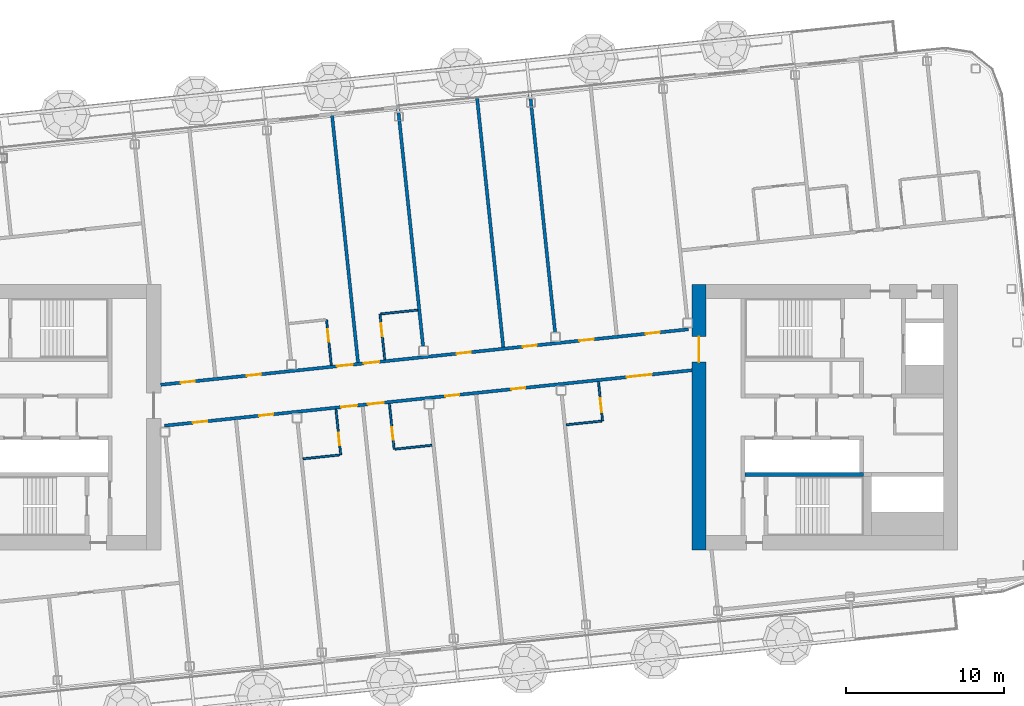
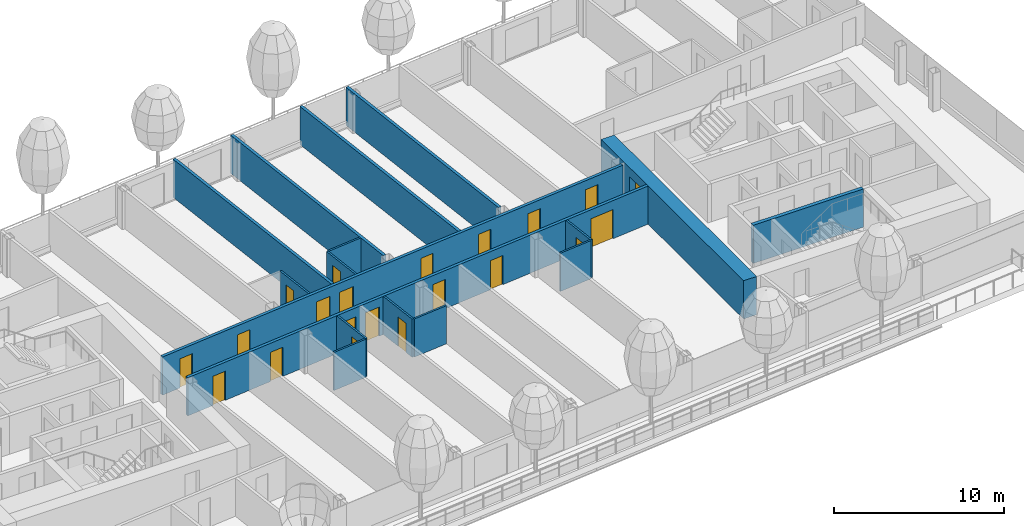
# One storey, part 14 of 29: 21 doors, 17 walls, 21 openings.
"""IFC4 building model written with IfcOpenShell, lengths in metres."""

from ifc_helpers import new_model, si_unit, direction, frame, frame_2d, origin, place, context, subcontext, project, spatial, rectangle, extrude, material, layer, layer_set, type_object, element, fill, save


model = new_model("IFC4")

# Units and contexts
model_context = context("Model", 3, precision=1e-05, world=origin(), true_north=direction((0.0, 1.0)))
body_context = subcontext(model_context, "Body", "Model", "MODEL_VIEW")
ifc_project = project(units=[si_unit("LENGTHUNIT", "METRE"), si_unit("AREAUNIT", "SQUARE_METRE"), si_unit("VOLUMEUNIT", "CUBIC_METRE"), si_unit("PLANEANGLEUNIT", "RADIAN"), si_unit("MASSUNIT", "GRAM", prefix="KILO")], contexts=[model_context])

# Site, building, storey
site_placement = place(None, origin())
site = spatial("IfcSite", under=ifc_project, at=site_placement, CompositionType="ELEMENT")
building_placement = place(site_placement, origin())
building = spatial("IfcBuilding", under=site, at=building_placement, Name="Hakoniwa Tower and Hamabe Station Hall", CompositionType="ELEMENT")
storey_placement = place(building_placement, frame((0.0, 0.0, 258.199951171875)))
storey = spatial("IfcBuildingStorey", under=building, at=storey_placement, Name="L73", CompositionType="ELEMENT", Elevation=258.199951171875)

# Walls
ifc_material_1 = material(Name="Gypsum board partition", Category="gypsum")
ifc_layer_1 = layer(ifc_material_1, 0.125)
ifc_layer_set_1 = layer_set([ifc_layer_1], Name="Bathroom Partition 125")
wall_type_1 = type_object("IfcWallType", Name="Bathroom Partition 125", PredefinedType="PARTITIONING", material=ifc_layer_set_1)
for number, where, z_axis, x_axis, name in (
    (1, (-7.80517578125, -2.64404296875, 0.0), (0.0, 0.0, 1.0), (0.994519751088, 0.104548862722, 0.0), "GW-L73-004"),
    (2, (-1.974609375, -2.03125, 0.0), (0.0, 0.0, 1.0), (0.994519751088, 0.104548862722, 0.0), "GW-L73-005"),
    (3, (-2.87353515625, 6.521728515625, 0.0), (0.0, 0.0, 1.0), (0.994519751088, 0.104548862722, 0.0), "GW-L73-010"),
):
    element("IfcWall", number, at=place(storey_placement, frame(where, z_axis=z_axis, x_axis=x_axis)), inside=storey, type_object=wall_type_1, Name=name, PredefinedType="PARTITIONING", context=body_context, shape_type="SweptSolid", body=[
        extrude(rectangle(XDim=2.33740234375, YDim=0.125, at=frame_2d((1.168701171875, 0.0))), origin(), (0.0, 0.0, 1.0), 2.75),
    ])

# Wall, opening, door
wall_1_placement = place(storey_placement, frame((-5.418212890625, -2.39306640625, 0.0), z_axis=(0.0, 0.0, 1.0), x_axis=(-0.104562076147, 0.994518361938, 0.0)))
wall_1 = element("IfcWall", 4, at=wall_1_placement, inside=storey, type_object=wall_type_1, Name="GW-L73-031", PredefinedType="PARTITIONING", context=body_context, shape_type="SweptSolid", body=[
    extrude(rectangle(XDim=2.89990234375, YDim=0.125, at=frame_2d((1.449951171875, 0.0))), origin(), (0.0, 0.0, 1.0), 2.75),
])
opening_1_placement = place(wall_1_placement, frame((0.60009765625, 0.0, 0.0)))
opening_1 = element("IfcOpeningElement", 5, at=opening_1_placement, cuts=wall_1, Name="Opening GD-G5C1-31", PredefinedType="OPENING", context=body_context, shape_type="SweptSolid", body=[
    extrude(rectangle(XDim=0.800048828125, YDim=2.10009765625, at=frame_2d((0.39990234375, 1.050048828125))), frame((0.0, 0.072509765625, 0.0), z_axis=(0.0, -1.0, 0.0), x_axis=(1.0, 0.0, 0.0)), (0.0, 0.0, 1.0), 0.14501953125),
])
ifc_material_2 = material(Name="Timber door leaf", Category="wood")
door_type_1 = type_object("IfcDoorType", Name="Bathroom Door 800", OperationType="SINGLE_SWING_LEFT", PredefinedType="DOOR", material=ifc_material_2)
door_1_placement = place(opening_1_placement, origin())
door_1 = element("IfcDoor", 6, at=door_1_placement, inside=storey, type_object=door_type_1, Name="Door GD-G5C1-31", OperationType="SINGLE_SWING_RIGHT", OverallHeight=2.10009765625, OverallWidth=0.800048828125, PredefinedType="DOOR", context=body_context, shape_type="SweptSolid", body=[
    extrude(rectangle(XDim=0.800048828125, YDim=2.10009765625, at=frame_2d((0.39990234375, 1.050048828125))), frame((0.0, 0.02490234375, 0.0), z_axis=(0.0, -1.0, 0.0), x_axis=(1.0, 0.0, 0.0)), (0.0, 0.0, 1.0), 0.050048828125),
])
fill(opening_1, door_1)

wall_2_placement = place(storey_placement, frame((-6.013916015625, 3.275634765625, 0.0), z_axis=(0.0, 0.0, 1.0), x_axis=(-0.104562076147, 0.994518361938, 0.0)))
wall_2 = element("IfcWall", 7, at=wall_2_placement, inside=storey, type_object=wall_type_1, Name="GW-L73-032", PredefinedType="PARTITIONING", context=body_context, shape_type="SweptSolid", body=[
    extrude(rectangle(XDim=2.89990234375, YDim=0.125, at=frame_2d((1.449951171875, 0.0))), origin(), (0.0, 0.0, 1.0), 2.75),
])
opening_2_placement = place(wall_2_placement, frame((1.5, 0.0, 0.0)))
opening_2 = element("IfcOpeningElement", 8, at=opening_2_placement, cuts=wall_2, Name="Opening GD-G5C1-32", PredefinedType="OPENING", context=body_context, shape_type="SweptSolid", body=[
    extrude(rectangle(XDim=0.800048828125, YDim=2.10009765625, at=frame_2d((0.39990234375, 1.050048828125))), frame((0.0, 0.072509765625, 0.0), z_axis=(0.0, -1.0, 0.0), x_axis=(1.0, 0.0, 0.0)), (0.0, 0.0, 1.0), 0.14501953125),
])
door_2_placement = place(opening_2_placement, origin())
door_2 = element("IfcDoor", 9, at=door_2_placement, inside=storey, type_object=door_type_1, Name="Door GD-G5C1-32", OperationType="SINGLE_SWING_LEFT", OverallHeight=2.10009765625, OverallWidth=0.800048828125, PredefinedType="DOOR", context=body_context, shape_type="SweptSolid", body=[
    extrude(rectangle(XDim=0.800048828125, YDim=2.10009765625, at=frame_2d((0.39990234375, 1.050048828125))), frame((0.0, 0.02490234375, 0.0), z_axis=(0.0, -1.0, 0.0), x_axis=(1.0, 0.0, 0.0)), (0.0, 0.0, 1.0), 0.050048828125),
])
fill(opening_2, door_2)

wall_3_placement = place(storey_placement, frame((-2.036865234375, -2.037841796875, 0.0), z_axis=(0.0, 0.0, 1.0), x_axis=(-0.104470059912, 0.994528032074, 0.0)))
wall_3 = element("IfcWall", 10, at=wall_3_placement, inside=storey, type_object=wall_type_1, Name="GW-L73-035", PredefinedType="PARTITIONING", context=body_context, shape_type="SweptSolid", body=[
    extrude(rectangle(XDim=2.900146484375, YDim=0.125, at=frame_2d((1.4501953125, 0.0))), origin(), (0.0, 0.0, 1.0), 2.75),
])
opening_3_placement = place(wall_3_placement, frame((0.60009765625, 0.0, 0.0)))
opening_3 = element("IfcOpeningElement", 11, at=opening_3_placement, cuts=wall_3, Name="Opening GD-G5C1-33", PredefinedType="OPENING", context=body_context, shape_type="SweptSolid", body=[
    extrude(rectangle(XDim=0.800048828125, YDim=2.10009765625, at=frame_2d((0.39990234375, 1.050048828125))), frame((0.0, 0.072509765625, 0.0), z_axis=(0.0, -1.0, 0.0), x_axis=(1.0, 0.0, 0.0)), (0.0, 0.0, 1.0), 0.14501953125),
])
door_3_placement = place(opening_3_placement, origin())
door_3 = element("IfcDoor", 12, at=door_3_placement, inside=storey, type_object=door_type_1, Name="Door GD-G5C1-33", OperationType="SINGLE_SWING_LEFT", OverallHeight=2.10009765625, OverallWidth=0.800048828125, PredefinedType="DOOR", context=body_context, shape_type="SweptSolid", body=[
    extrude(rectangle(XDim=0.800048828125, YDim=2.10009765625, at=frame_2d((0.39990234375, 1.050048828125))), frame((0.0, 0.02490234375, 0.0), z_axis=(0.0, -1.0, 0.0), x_axis=(1.0, 0.0, 0.0)), (0.0, 0.0, 1.0), 0.050048828125),
])
fill(opening_3, door_3)

wall_4_placement = place(storey_placement, frame((-2.632568359375, 3.631103515625, 0.0), z_axis=(0.0, 0.0, 1.0), x_axis=(-0.104562076147, 0.994518361938, 0.0)))
wall_4 = element("IfcWall", 13, at=wall_4_placement, inside=storey, type_object=wall_type_1, Name="GW-L73-036", PredefinedType="PARTITIONING", context=body_context, shape_type="SweptSolid", body=[
    extrude(rectangle(XDim=2.89990234375, YDim=0.125, at=frame_2d((1.449951171875, 0.0))), origin(), (0.0, 0.0, 1.0), 2.75),
])
opening_4_placement = place(wall_4_placement, frame((1.5, 0.0, 0.0)))
opening_4 = element("IfcOpeningElement", 14, at=opening_4_placement, cuts=wall_4, Name="Opening GD-G5C1-34", PredefinedType="OPENING", context=body_context, shape_type="SweptSolid", body=[
    extrude(rectangle(XDim=0.800048828125, YDim=2.10009765625, at=frame_2d((0.39990234375, 1.050048828125))), frame((0.0, 0.072509765625, 0.0), z_axis=(0.0, -1.0, 0.0), x_axis=(1.0, 0.0, 0.0)), (0.0, 0.0, 1.0), 0.14501953125),
])
door_4_placement = place(opening_4_placement, origin())
door_4 = element("IfcDoor", 15, at=door_4_placement, inside=storey, type_object=door_type_1, Name="Door GD-G5C1-34", OperationType="SINGLE_SWING_RIGHT", OverallHeight=2.10009765625, OverallWidth=0.800048828125, PredefinedType="DOOR", context=body_context, shape_type="SweptSolid", body=[
    extrude(rectangle(XDim=0.800048828125, YDim=2.10009765625, at=frame_2d((0.39990234375, 1.050048828125))), frame((0.0, 0.02490234375, 0.0), z_axis=(0.0, -1.0, 0.0), x_axis=(1.0, 0.0, 0.0)), (0.0, 0.0, 1.0), 0.050048828125),
])
fill(opening_4, door_4)

ifc_material_3 = material(Name="Concrete C60", Category="concrete")
ifc_layer_2 = layer(ifc_material_3, 0.89990234375)
ifc_layer_set_2 = layer_set([ifc_layer_2], Name="CORE WALL 900 C60")
wall_type_2 = type_object("IfcWallType", Name="CORE WALL 900 C60", PredefinedType="SHEAR", material=ifc_layer_set_2)
wall_5_placement = place(storey_placement, frame((17.25, -8.39990234375, 0.0), z_axis=(0.0, 0.0, 1.0), x_axis=(0.0, 1.0, 0.0)))
wall_5 = element("IfcWall", 16, at=wall_5_placement, inside=storey, type_object=wall_type_2, Name="Core wall INNER east", PredefinedType="SHEAR", context=body_context, shape_type="SweptSolid", body=[
    extrude(rectangle(XDim=16.7998046875, YDim=0.89990234375, at=frame_2d((8.39990234375, 0.0))), origin(), (0.0, 0.0, 1.0), 2.75),
])
opening_5_placement = place(wall_5_placement, frame((11.87890625, 0.0, 0.0)))
opening_5 = element("IfcOpeningElement", 17, at=opening_5_placement, cuts=wall_5, Name="Opening CD-E-IN1-16", PredefinedType="OPENING", context=body_context, shape_type="SweptSolid", body=[
    extrude(rectangle(XDim=1.60009765625, YDim=2.10009765625, at=frame_2d((0.800048828125, 1.050048828125))), frame((0.0, 0.4599609375, 0.0), z_axis=(0.0, -1.0, 0.0), x_axis=(1.0, 0.0, 0.0)), (0.0, 0.0, 1.0), 0.919921875),
])
ifc_material_4 = material(Name="Steel fire door", Category="steel")
door_type_2 = type_object("IfcDoorType", Name="CORE DOOR 1600 FD60", OperationType="DOUBLE_DOOR_SINGLE_SWING", PredefinedType="DOOR", material=ifc_material_4)
door_5_placement = place(opening_5_placement, origin())
door_5 = element("IfcDoor", 18, at=door_5_placement, inside=storey, type_object=door_type_2, Name="Lift lobby door", OperationType="DOUBLE_DOOR_SINGLE_SWING", OverallHeight=2.10009765625, OverallWidth=1.60009765625, PredefinedType="DOOR", context=body_context, shape_type="SweptSolid", body=[
    extrude(rectangle(XDim=1.60009765625, YDim=2.10009765625, at=frame_2d((0.800048828125, 1.050048828125))), frame((0.0, 0.02490234375, 0.0), z_axis=(0.0, -1.0, 0.0), x_axis=(1.0, 0.0, 0.0)), (0.0, 0.0, 1.0), 0.050048828125),
])
fill(opening_5, door_5)

# Wall
ifc_material_5 = material(Name="Concrete C60", Category="concrete")
ifc_layer_3 = layer(ifc_material_5, 0.25)
ifc_layer_set_3 = layer_set([ifc_layer_3], Name="CORE WEB WALL 250 C60")
wall_type_3 = type_object("IfcWallType", Name="CORE WEB WALL 250 C60", PredefinedType="SHEAR", material=ifc_layer_set_3)
wall_6_placement = place(storey_placement, frame((20.14990234375, -3.625, 0.0), z_axis=(0.0, 0.0, 1.0), x_axis=(1.0, 0.0, 0.0)))
element("IfcWall", 19, at=wall_6_placement, inside=storey, type_object=wall_type_3, Name="Core wall SR east", PredefinedType="SHEAR", context=body_context, shape_type="SweptSolid", body=[
    extrude(rectangle(XDim=7.5, YDim=0.25, at=frame_2d((3.75, 0.0))), origin(), (0.0, 0.0, 1.0), 2.75),
])

# Wall, openings, doors
ifc_material_6 = material(Name="Fire-rated gypsum board partition", Category="gypsum")
ifc_layer_4 = layer(ifc_material_6, 0.199951171875)
ifc_layer_set_4 = layer_set([ifc_layer_4], Name="Corridor Wall 200")
wall_type_4 = type_object("IfcWallType", Name="Corridor Wall 200", PredefinedType="PARTITIONING", material=ifc_layer_set_4)
wall_7_placement = place(storey_placement, frame((-16.572021484375, -0.549072265625, 0.0), z_axis=(0.0, 0.0, 1.0), x_axis=(0.994521146831, 0.104535584879, 0.0)))
wall_7 = element("IfcWall", 20, at=wall_7_placement, inside=storey, type_object=wall_type_4, Name="GW-L73-007", PredefinedType="PARTITIONING", context=body_context, shape_type="SweptSolid", body=[
    extrude(rectangle(XDim=33.560791015625, YDim=0.199951171875, at=frame_2d((16.7802734375, 0.0))), origin(), (0.0, 0.0, 1.0), 2.75),
])
opening_6_placement = place(wall_7_placement, frame((1.820068359375, 0.0, 0.0)))
opening_6 = element("IfcOpeningElement", 21, at=opening_6_placement, cuts=wall_7, Name="Opening GD-G5C1-05", PredefinedType="OPENING", context=body_context, shape_type="SweptSolid", body=[
    extrude(rectangle(XDim=0.89990234375, YDim=2.10009765625, at=frame_2d((0.449951171875, 1.050048828125))), frame((0.0, 0.10986328125, 0.0), z_axis=(0.0, -1.0, 0.0), x_axis=(1.0, 0.0, 0.0)), (0.0, 0.0, 1.0), 0.219970703125),
])
opening_7_placement = place(wall_7_placement, frame((6.02001953125, 0.0, 0.0)))
opening_7 = element("IfcOpeningElement", 22, at=opening_7_placement, cuts=wall_7, Name="Opening GD-G5C1-06", PredefinedType="OPENING", context=body_context, shape_type="SweptSolid", body=[
    extrude(rectangle(XDim=0.89990234375, YDim=2.10009765625, at=frame_2d((0.449951171875, 1.050048828125))), frame((0.0, 0.10986328125, 0.0), z_axis=(0.0, -1.0, 0.0), x_axis=(1.0, 0.0, 0.0)), (0.0, 0.0, 1.0), 0.219970703125),
])
opening_8_placement = place(wall_7_placement, frame((11.25, 0.0, 0.0)))
opening_8 = element("IfcOpeningElement", 23, at=opening_8_placement, cuts=wall_7, Name="Opening GD-G5C1-07", PredefinedType="OPENING", context=body_context, shape_type="SweptSolid", body=[
    extrude(rectangle(XDim=1.0, YDim=2.10009765625, at=frame_2d((0.5, 1.050048828125))), frame((0.0, 0.10986328125, 0.0), z_axis=(0.0, -1.0, 0.0), x_axis=(1.0, 0.0, 0.0)), (0.0, 0.0, 1.0), 0.219970703125),
])
opening_9_placement = place(wall_7_placement, frame((12.949951171875, 0.0, 0.0)))
opening_9 = element("IfcOpeningElement", 24, at=opening_9_placement, cuts=wall_7, Name="Opening GD-G5C1-08", PredefinedType="OPENING", context=body_context, shape_type="SweptSolid", body=[
    extrude(rectangle(XDim=1.0, YDim=2.10009765625, at=frame_2d((0.5, 1.050048828125))), frame((0.0, 0.10986328125, 0.0), z_axis=(0.0, -1.0, 0.0), x_axis=(1.0, 0.0, 0.0)), (0.0, 0.0, 1.0), 0.219970703125),
])
opening_10_placement = place(wall_7_placement, frame((17.860107421875, 0.0, 0.0)))
opening_10 = element("IfcOpeningElement", 25, at=opening_10_placement, cuts=wall_7, Name="Opening GD-G5C1-09", PredefinedType="OPENING", context=body_context, shape_type="SweptSolid", body=[
    extrude(rectangle(XDim=0.89990234375, YDim=2.10009765625, at=frame_2d((0.449951171875, 1.050048828125))), frame((0.0, 0.10986328125, 0.0), z_axis=(0.0, -1.0, 0.0), x_axis=(1.0, 0.0, 0.0)), (0.0, 0.0, 1.0), 0.219970703125),
])
opening_11_placement = place(wall_7_placement, frame((22.06005859375, 0.0, 0.0)))
opening_11 = element("IfcOpeningElement", 26, at=opening_11_placement, cuts=wall_7, Name="Opening GD-G5C1-10", PredefinedType="OPENING", context=body_context, shape_type="SweptSolid", body=[
    extrude(rectangle(XDim=0.89990234375, YDim=2.10009765625, at=frame_2d((0.449951171875, 1.050048828125))), frame((0.0, 0.10986328125, 0.0), z_axis=(0.0, -1.0, 0.0), x_axis=(1.0, 0.0, 0.0)), (0.0, 0.0, 1.0), 0.219970703125),
])
opening_12_placement = place(wall_7_placement, frame((29.39990234375, 0.0, 0.0)))
opening_12 = element("IfcOpeningElement", 27, at=opening_12_placement, cuts=wall_7, Name="Opening GD-G5C1-11", PredefinedType="OPENING", context=body_context, shape_type="SweptSolid", body=[
    extrude(rectangle(XDim=1.60009765625, YDim=2.10009765625, at=frame_2d((0.800048828125, 1.050048828125))), frame((0.0, 0.10986328125, 0.0), z_axis=(0.0, -1.0, 0.0), x_axis=(1.0, 0.0, 0.0)), (0.0, 0.0, 1.0), 0.219970703125),
])
ifc_material_7 = material(Name="Timber door leaf", Category="wood")
door_type_3 = type_object("IfcDoorType", Name="Double Door 1600", OperationType="DOUBLE_DOOR_SINGLE_SWING", PredefinedType="DOOR", material=ifc_material_7)
door_6_placement = place(opening_12_placement, origin())
door_6 = element("IfcDoor", 28, at=door_6_placement, inside=storey, type_object=door_type_3, Name="Door GD-G5C1-11", OperationType="DOUBLE_DOOR_SINGLE_SWING", OverallHeight=2.10009765625, OverallWidth=1.60009765625, PredefinedType="DOOR", context=body_context, shape_type="SweptSolid", body=[
    extrude(rectangle(XDim=1.60009765625, YDim=2.10009765625, at=frame_2d((0.800048828125, 1.050048828125))), frame((0.0, 0.02490234375, 0.0), z_axis=(0.0, -1.0, 0.0), x_axis=(1.0, 0.0, 0.0)), (0.0, 0.0, 1.0), 0.050048828125),
])
fill(opening_12, door_6)
ifc_material_8 = material(Name="Timber door leaf", Category="wood")
door_type_4 = type_object("IfcDoorType", Name="Guest Entrance Door 1000", OperationType="SINGLE_SWING_LEFT", PredefinedType="DOOR", material=ifc_material_8)
door_7_placement = place(opening_8_placement, origin())
door_7 = element("IfcDoor", 29, at=door_7_placement, inside=storey, type_object=door_type_4, Name="Door GD-G5C1-07", OperationType="SINGLE_SWING_RIGHT", OverallHeight=2.10009765625, OverallWidth=1.0, PredefinedType="DOOR", context=body_context, shape_type="SweptSolid", body=[
    extrude(rectangle(XDim=1.0, YDim=2.10009765625, at=frame_2d((0.5, 1.050048828125))), frame((0.0, 0.02490234375, 0.0), z_axis=(0.0, -1.0, 0.0), x_axis=(1.0, 0.0, 0.0)), (0.0, 0.0, 1.0), 0.050048828125),
])
fill(opening_8, door_7)
door_8_placement = place(opening_9_placement, origin())
door_8 = element("IfcDoor", 30, at=door_8_placement, inside=storey, type_object=door_type_4, Name="Door GD-G5C1-08", OperationType="SINGLE_SWING_LEFT", OverallHeight=2.10009765625, OverallWidth=1.0, PredefinedType="DOOR", context=body_context, shape_type="SweptSolid", body=[
    extrude(rectangle(XDim=1.0, YDim=2.10009765625, at=frame_2d((0.5, 1.050048828125))), frame((0.0, 0.02490234375, 0.0), z_axis=(0.0, -1.0, 0.0), x_axis=(1.0, 0.0, 0.0)), (0.0, 0.0, 1.0), 0.050048828125),
])
fill(opening_9, door_8)
ifc_material_9 = material(Name="Timber door leaf", Category="wood")
door_type_5 = type_object("IfcDoorType", Name="Service Door 900", OperationType="SINGLE_SWING_LEFT", PredefinedType="DOOR", material=ifc_material_9)
door_9_placement = place(opening_6_placement, origin())
door_9 = element("IfcDoor", 31, at=door_9_placement, inside=storey, type_object=door_type_5, Name="Door GD-G5C1-05", OperationType="SINGLE_SWING_RIGHT", OverallHeight=2.10009765625, OverallWidth=0.89990234375, PredefinedType="DOOR", context=body_context, shape_type="SweptSolid", body=[
    extrude(rectangle(XDim=0.89990234375, YDim=2.10009765625, at=frame_2d((0.449951171875, 1.050048828125))), frame((0.0, 0.02490234375, 0.0), z_axis=(0.0, -1.0, 0.0), x_axis=(1.0, 0.0, 0.0)), (0.0, 0.0, 1.0), 0.050048828125),
])
fill(opening_6, door_9)
door_10_placement = place(opening_7_placement, origin())
door_10 = element("IfcDoor", 32, at=door_10_placement, inside=storey, type_object=door_type_5, Name="Door GD-G5C1-06", OperationType="SINGLE_SWING_LEFT", OverallHeight=2.10009765625, OverallWidth=0.89990234375, PredefinedType="DOOR", context=body_context, shape_type="SweptSolid", body=[
    extrude(rectangle(XDim=0.89990234375, YDim=2.10009765625, at=frame_2d((0.449951171875, 1.050048828125))), frame((0.0, 0.02490234375, 0.0), z_axis=(0.0, -1.0, 0.0), x_axis=(1.0, 0.0, 0.0)), (0.0, 0.0, 1.0), 0.050048828125),
])
fill(opening_7, door_10)
door_11_placement = place(opening_10_placement, origin())
door_11 = element("IfcDoor", 33, at=door_11_placement, inside=storey, type_object=door_type_5, Name="Door GD-G5C1-09", OperationType="SINGLE_SWING_RIGHT", OverallHeight=2.10009765625, OverallWidth=0.89990234375, PredefinedType="DOOR", context=body_context, shape_type="SweptSolid", body=[
    extrude(rectangle(XDim=0.89990234375, YDim=2.10009765625, at=frame_2d((0.449951171875, 1.050048828125))), frame((0.0, 0.02490234375, 0.0), z_axis=(0.0, -1.0, 0.0), x_axis=(1.0, 0.0, 0.0)), (0.0, 0.0, 1.0), 0.050048828125),
])
fill(opening_10, door_11)
door_12_placement = place(opening_11_placement, origin())
door_12 = element("IfcDoor", 34, at=door_12_placement, inside=storey, type_object=door_type_5, Name="Door GD-G5C1-10", OperationType="SINGLE_SWING_RIGHT", OverallHeight=2.10009765625, OverallWidth=0.89990234375, PredefinedType="DOOR", context=body_context, shape_type="SweptSolid", body=[
    extrude(rectangle(XDim=0.89990234375, YDim=2.10009765625, at=frame_2d((0.449951171875, 1.050048828125))), frame((0.0, 0.02490234375, 0.0), z_axis=(0.0, -1.0, 0.0), x_axis=(1.0, 0.0, 0.0)), (0.0, 0.0, 1.0), 0.050048828125),
])
fill(opening_11, door_12)

wall_8_placement = place(storey_placement, frame((-16.804931640625, 2.040771484375, 0.0), z_axis=(0.0, 0.0, 1.0), x_axis=(0.994521146831, 0.104535584879, 0.0)))
wall_8 = element("IfcWall", 35, at=wall_8_placement, inside=storey, type_object=wall_type_4, Name="GW-L73-008", PredefinedType="PARTITIONING", context=body_context, shape_type="SweptSolid", body=[
    extrude(rectangle(XDim=33.560791015625, YDim=0.199951171875, at=frame_2d((16.7802734375, 0.0))), origin(), (0.0, 0.0, 1.0), 2.75),
])
opening_13_placement = place(wall_8_placement, frame((1.27587890625, 0.0, 0.0)))
opening_13 = element("IfcOpeningElement", 36, at=opening_13_placement, cuts=wall_8, Name="Opening GD-G5C1-12", PredefinedType="OPENING", context=body_context, shape_type="SweptSolid", body=[
    extrude(rectangle(XDim=0.89990234375, YDim=2.10009765625, at=frame_2d((0.449951171875, 1.050048828125))), frame((0.0, 0.10986328125, 0.0), z_axis=(0.0, -1.0, 0.0), x_axis=(1.0, 0.0, 0.0)), (0.0, 0.0, 1.0), 0.219970703125),
])
opening_14_placement = place(wall_8_placement, frame((5.475830078125, 0.0, 0.0)))
opening_14 = element("IfcOpeningElement", 37, at=opening_14_placement, cuts=wall_8, Name="Opening GD-G5C1-13", PredefinedType="OPENING", context=body_context, shape_type="SweptSolid", body=[
    extrude(rectangle(XDim=0.89990234375, YDim=2.10009765625, at=frame_2d((0.449951171875, 1.050048828125))), frame((0.0, 0.10986328125, 0.0), z_axis=(0.0, -1.0, 0.0), x_axis=(1.0, 0.0, 0.0)), (0.0, 0.0, 1.0), 0.219970703125),
])
opening_15_placement = place(wall_8_placement, frame((11.2109375, 0.0, 0.0)))
opening_15 = element("IfcOpeningElement", 38, at=opening_15_placement, cuts=wall_8, Name="Opening GD-G5C1-14", PredefinedType="OPENING", context=body_context, shape_type="SweptSolid", body=[
    extrude(rectangle(XDim=1.0, YDim=2.10009765625, at=frame_2d((0.5, 1.050048828125))), frame((0.0, 0.10986328125, 0.0), z_axis=(0.0, -1.0, 0.0), x_axis=(1.0, 0.0, 0.0)), (0.0, 0.0, 1.0), 0.219970703125),
])
opening_16_placement = place(wall_8_placement, frame((12.910888671875, 0.0, 0.0)))
opening_16 = element("IfcOpeningElement", 39, at=opening_16_placement, cuts=wall_8, Name="Opening GD-G5C1-15", PredefinedType="OPENING", context=body_context, shape_type="SweptSolid", body=[
    extrude(rectangle(XDim=1.0, YDim=2.10009765625, at=frame_2d((0.5, 1.050048828125))), frame((0.0, 0.10986328125, 0.0), z_axis=(0.0, -1.0, 0.0), x_axis=(1.0, 0.0, 0.0)), (0.0, 0.0, 1.0), 0.219970703125),
])
opening_17_placement = place(wall_8_placement, frame((18.830810546875, 0.0, 0.0)))
opening_17 = element("IfcOpeningElement", 40, at=opening_17_placement, cuts=wall_8, Name="Opening GD-G5C1-16", PredefinedType="OPENING", context=body_context, shape_type="SweptSolid", body=[
    extrude(rectangle(XDim=0.89990234375, YDim=2.10009765625, at=frame_2d((0.449951171875, 1.050048828125))), frame((0.0, 0.10986328125, 0.0), z_axis=(0.0, -1.0, 0.0), x_axis=(1.0, 0.0, 0.0)), (0.0, 0.0, 1.0), 0.219970703125),
])
opening_18_placement = place(wall_8_placement, frame((23.031005859375, 0.0, 0.0)))
opening_18 = element("IfcOpeningElement", 41, at=opening_18_placement, cuts=wall_8, Name="Opening GD-G5C1-17", PredefinedType="OPENING", context=body_context, shape_type="SweptSolid", body=[
    extrude(rectangle(XDim=0.89990234375, YDim=2.10009765625, at=frame_2d((0.449951171875, 1.050048828125))), frame((0.0, 0.10986328125, 0.0), z_axis=(0.0, -1.0, 0.0), x_axis=(1.0, 0.0, 0.0)), (0.0, 0.0, 1.0), 0.219970703125),
])
opening_19_placement = place(wall_8_placement, frame((26.640869140625, 0.0, 0.0)))
opening_19 = element("IfcOpeningElement", 42, at=opening_19_placement, cuts=wall_8, Name="Opening GD-G5C1-18", PredefinedType="OPENING", context=body_context, shape_type="SweptSolid", body=[
    extrude(rectangle(XDim=0.89990234375, YDim=2.10009765625, at=frame_2d((0.449951171875, 1.050048828125))), frame((0.0, 0.10986328125, 0.0), z_axis=(0.0, -1.0, 0.0), x_axis=(1.0, 0.0, 0.0)), (0.0, 0.0, 1.0), 0.219970703125),
])
opening_20_placement = place(wall_8_placement, frame((30.8408203125, 0.0, 0.0)))
opening_20 = element("IfcOpeningElement", 43, at=opening_20_placement, cuts=wall_8, Name="Opening GD-G5C1-19", PredefinedType="OPENING", context=body_context, shape_type="SweptSolid", body=[
    extrude(rectangle(XDim=0.89990234375, YDim=2.10009765625, at=frame_2d((0.449951171875, 1.050048828125))), frame((0.0, 0.10986328125, 0.0), z_axis=(0.0, -1.0, 0.0), x_axis=(1.0, 0.0, 0.0)), (0.0, 0.0, 1.0), 0.219970703125),
])
door_13_placement = place(opening_15_placement, origin())
door_13 = element("IfcDoor", 44, at=door_13_placement, inside=storey, type_object=door_type_4, Name="Door GD-G5C1-14", OperationType="SINGLE_SWING_LEFT", OverallHeight=2.10009765625, OverallWidth=1.0, PredefinedType="DOOR", context=body_context, shape_type="SweptSolid", body=[
    extrude(rectangle(XDim=1.0, YDim=2.10009765625, at=frame_2d((0.5, 1.050048828125))), frame((0.0, 0.02490234375, 0.0), z_axis=(0.0, -1.0, 0.0), x_axis=(1.0, 0.0, 0.0)), (0.0, 0.0, 1.0), 0.050048828125),
])
fill(opening_15, door_13)
door_14_placement = place(opening_16_placement, origin())
door_14 = element("IfcDoor", 45, at=door_14_placement, inside=storey, type_object=door_type_4, Name="Door GD-G5C1-15", OperationType="SINGLE_SWING_RIGHT", OverallHeight=2.10009765625, OverallWidth=1.0, PredefinedType="DOOR", context=body_context, shape_type="SweptSolid", body=[
    extrude(rectangle(XDim=1.0, YDim=2.10009765625, at=frame_2d((0.5, 1.050048828125))), frame((0.0, 0.02490234375, 0.0), z_axis=(0.0, -1.0, 0.0), x_axis=(1.0, 0.0, 0.0)), (0.0, 0.0, 1.0), 0.050048828125),
])
fill(opening_16, door_14)
door_15_placement = place(opening_13_placement, origin())
door_15 = element("IfcDoor", 46, at=door_15_placement, inside=storey, type_object=door_type_5, Name="Door GD-G5C1-12", OperationType="SINGLE_SWING_LEFT", OverallHeight=2.10009765625, OverallWidth=0.89990234375, PredefinedType="DOOR", context=body_context, shape_type="SweptSolid", body=[
    extrude(rectangle(XDim=0.89990234375, YDim=2.10009765625, at=frame_2d((0.449951171875, 1.050048828125))), frame((0.0, 0.02490234375, 0.0), z_axis=(0.0, -1.0, 0.0), x_axis=(1.0, 0.0, 0.0)), (0.0, 0.0, 1.0), 0.050048828125),
])
fill(opening_13, door_15)
door_16_placement = place(opening_14_placement, origin())
door_16 = element("IfcDoor", 47, at=door_16_placement, inside=storey, type_object=door_type_5, Name="Door GD-G5C1-13", OperationType="SINGLE_SWING_RIGHT", OverallHeight=2.10009765625, OverallWidth=0.89990234375, PredefinedType="DOOR", context=body_context, shape_type="SweptSolid", body=[
    extrude(rectangle(XDim=0.89990234375, YDim=2.10009765625, at=frame_2d((0.449951171875, 1.050048828125))), frame((0.0, 0.02490234375, 0.0), z_axis=(0.0, -1.0, 0.0), x_axis=(1.0, 0.0, 0.0)), (0.0, 0.0, 1.0), 0.050048828125),
])
fill(opening_14, door_16)
door_17_placement = place(opening_17_placement, origin())
door_17 = element("IfcDoor", 48, at=door_17_placement, inside=storey, type_object=door_type_5, Name="Door GD-G5C1-16", OperationType="SINGLE_SWING_LEFT", OverallHeight=2.10009765625, OverallWidth=0.89990234375, PredefinedType="DOOR", context=body_context, shape_type="SweptSolid", body=[
    extrude(rectangle(XDim=0.89990234375, YDim=2.10009765625, at=frame_2d((0.449951171875, 1.050048828125))), frame((0.0, 0.02490234375, 0.0), z_axis=(0.0, -1.0, 0.0), x_axis=(1.0, 0.0, 0.0)), (0.0, 0.0, 1.0), 0.050048828125),
])
fill(opening_17, door_17)
door_18_placement = place(opening_18_placement, origin())
door_18 = element("IfcDoor", 49, at=door_18_placement, inside=storey, type_object=door_type_5, Name="Door GD-G5C1-17", OperationType="SINGLE_SWING_RIGHT", OverallHeight=2.10009765625, OverallWidth=0.89990234375, PredefinedType="DOOR", context=body_context, shape_type="SweptSolid", body=[
    extrude(rectangle(XDim=0.89990234375, YDim=2.10009765625, at=frame_2d((0.449951171875, 1.050048828125))), frame((0.0, 0.02490234375, 0.0), z_axis=(0.0, -1.0, 0.0), x_axis=(1.0, 0.0, 0.0)), (0.0, 0.0, 1.0), 0.050048828125),
])
fill(opening_18, door_18)
door_19_placement = place(opening_19_placement, origin())
door_19 = element("IfcDoor", 50, at=door_19_placement, inside=storey, type_object=door_type_5, Name="Door GD-G5C1-18", OperationType="SINGLE_SWING_LEFT", OverallHeight=2.10009765625, OverallWidth=0.89990234375, PredefinedType="DOOR", context=body_context, shape_type="SweptSolid", body=[
    extrude(rectangle(XDim=0.89990234375, YDim=2.10009765625, at=frame_2d((0.449951171875, 1.050048828125))), frame((0.0, 0.02490234375, 0.0), z_axis=(0.0, -1.0, 0.0), x_axis=(1.0, 0.0, 0.0)), (0.0, 0.0, 1.0), 0.050048828125),
])
fill(opening_19, door_19)
door_20_placement = place(opening_20_placement, origin())
door_20 = element("IfcDoor", 51, at=door_20_placement, inside=storey, type_object=door_type_5, Name="Door GD-G5C1-19", OperationType="SINGLE_SWING_RIGHT", OverallHeight=2.10009765625, OverallWidth=0.89990234375, PredefinedType="DOOR", context=body_context, shape_type="SweptSolid", body=[
    extrude(rectangle(XDim=0.89990234375, YDim=2.10009765625, at=frame_2d((0.449951171875, 1.050048828125))), frame((0.0, 0.02490234375, 0.0), z_axis=(0.0, -1.0, 0.0), x_axis=(1.0, 0.0, 0.0)), (0.0, 0.0, 1.0), 0.050048828125),
])
fill(opening_20, door_20)

# Walls
ifc_material_10 = material(Name="Fire-rated gypsum board partition", Category="gypsum")
ifc_layer_5 = layer(ifc_material_10, 0.199951171875)
ifc_layer_set_5 = layer_set([ifc_layer_5], Name="Party Wall 200")
wall_type_5 = type_object("IfcWallType", Name="Party Wall 200", PredefinedType="PARTITIONING", material=ifc_layer_set_5)
wall_9_placement = place(storey_placement, frame((-4.3232421875, 3.453369140625, 0.0), z_axis=(0.0, 0.0, 1.0), x_axis=(-0.104536114326, 0.99452109118, 0.0)))
element("IfcWall", 52, at=wall_9_placement, inside=storey, type_object=wall_type_5, Name="GW-L73-034", PredefinedType="PARTITIONING", context=body_context, shape_type="SweptSolid", body=[
    extrude(rectangle(XDim=15.89990234375, YDim=0.199951171875, at=frame_2d((7.949951171875, 0.0))), origin(), (0.0, 0.0, 1.0), 2.75),
])
wall_10_placement = place(storey_placement, frame((-0.208251953125, 4.480712890625, 0.0), z_axis=(0.0, 0.0, 1.0), x_axis=(-0.104523729364, 0.99452239291, 0.0)))
element("IfcWall", 53, at=wall_10_placement, inside=storey, type_object=wall_type_5, Name="GW-L73-038", PredefinedType="PARTITIONING", context=body_context, shape_type="SweptSolid", body=[
    extrude(rectangle(XDim=15.308349609375, YDim=0.199951171875, at=frame_2d((7.654296875, 0.0))), origin(), (0.0, 0.0, 1.0), 2.75),
])
wall_11_placement = place(storey_placement, frame((4.865966796875, 4.419189453125, 0.0), z_axis=(0.0, 0.0, 1.0), x_axis=(-0.104520927191, 0.994522687413, 0.0)))
element("IfcWall", 54, at=wall_11_placement, inside=storey, type_object=wall_type_5, Name="GW-L73-040", PredefinedType="PARTITIONING", context=body_context, shape_type="SweptSolid", body=[
    extrude(rectangle(XDim=15.89990234375, YDim=0.199951171875, at=frame_2d((7.949951171875, 0.0))), origin(), (0.0, 0.0, 1.0), 2.75),
])
wall_12_placement = place(storey_placement, frame((8.145751953125, 5.358642578125, 0.0), z_axis=(0.0, 0.0, 1.0), x_axis=(-0.104523729364, 0.99452239291, 0.0)))
element("IfcWall", 55, at=wall_12_placement, inside=storey, type_object=wall_type_5, Name="GW-L73-042", PredefinedType="PARTITIONING", context=body_context, shape_type="SweptSolid", body=[
    extrude(rectangle(XDim=15.308349609375, YDim=0.199951171875, at=frame_2d((7.654296875, 0.0))), origin(), (0.0, 0.0, 1.0), 2.75),
])
ifc_material_11 = material(Name="Gypsum board partition", Category="gypsum")
ifc_layer_6 = layer(ifc_material_11, 0.125)
ifc_layer_set_6 = layer_set([ifc_layer_6], Name="Room Partition 125")
wall_type_6 = type_object("IfcWallType", Name="Room Partition 125", PredefinedType="PARTITIONING", material=ifc_layer_set_6)
wall_13_placement = place(storey_placement, frame((8.861083984375, -0.490234375, 0.0), z_axis=(0.0, 0.0, 1.0), x_axis=(0.99452218011, 0.104525754092, 0.0)))
element("IfcWall", 56, at=wall_13_placement, inside=storey, type_object=wall_type_6, Name="GW-L73-006", PredefinedType="PARTITIONING", context=body_context, shape_type="SweptSolid", body=[
    extrude(rectangle(XDim=2.237548828125, YDim=0.125, at=frame_2d((1.11865234375, 0.0))), origin(), (0.0, 0.0, 1.0), 2.75),
])

# Wall, opening, door
wall_14_placement = place(storey_placement, frame((11.1484375, -0.249755859375, 0.0), z_axis=(0.0, 0.0, 1.0), x_axis=(-0.104491611519, 0.994525767953, 0.0)))
wall_14 = element("IfcWall", 57, at=wall_14_placement, inside=storey, type_object=wall_type_6, Name="GW-L73-043", PredefinedType="PARTITIONING", context=body_context, shape_type="SweptSolid", body=[
    extrude(rectangle(XDim=2.5, YDim=0.125, at=frame_2d((1.25, 0.0))), origin(), (0.0, 0.0, 1.0), 2.75),
])
opening_21_placement = place(wall_14_placement, frame((0.550048828125, 0.0, 0.0)))
opening_21 = element("IfcOpeningElement", 58, at=opening_21_placement, cuts=wall_14, Name="Opening GD-G5C1-35", PredefinedType="OPENING", context=body_context, shape_type="SweptSolid", body=[
    extrude(rectangle(XDim=0.89990234375, YDim=2.10009765625, at=frame_2d((0.449951171875, 1.050048828125))), frame((0.0, 0.072509765625, 0.0), z_axis=(0.0, -1.0, 0.0), x_axis=(1.0, 0.0, 0.0)), (0.0, 0.0, 1.0), 0.14501953125),
])
ifc_material_12 = material(Name="Timber door leaf", Category="wood")
door_type_6 = type_object("IfcDoorType", Name="Suite Interior Door 900", OperationType="SINGLE_SWING_LEFT", PredefinedType="DOOR", material=ifc_material_12)
door_21_placement = place(opening_21_placement, origin())
door_21 = element("IfcDoor", 59, at=door_21_placement, inside=storey, type_object=door_type_6, Name="Door GD-G5C1-35", OperationType="SINGLE_SWING_RIGHT", OverallHeight=2.10009765625, OverallWidth=0.89990234375, PredefinedType="DOOR", context=body_context, shape_type="SweptSolid", body=[
    extrude(rectangle(XDim=0.89990234375, YDim=2.10009765625, at=frame_2d((0.449951171875, 1.050048828125))), frame((0.0, 0.02490234375, 0.0), z_axis=(0.0, -1.0, 0.0), x_axis=(1.0, 0.0, 0.0)), (0.0, 0.0, 1.0), 0.050048828125),
])
fill(opening_21, door_21)

save(model, "model.ifc")
